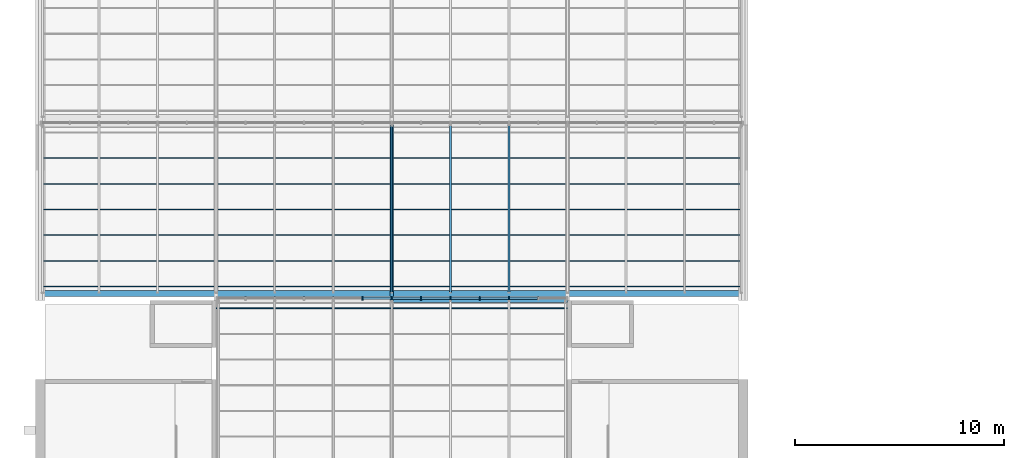
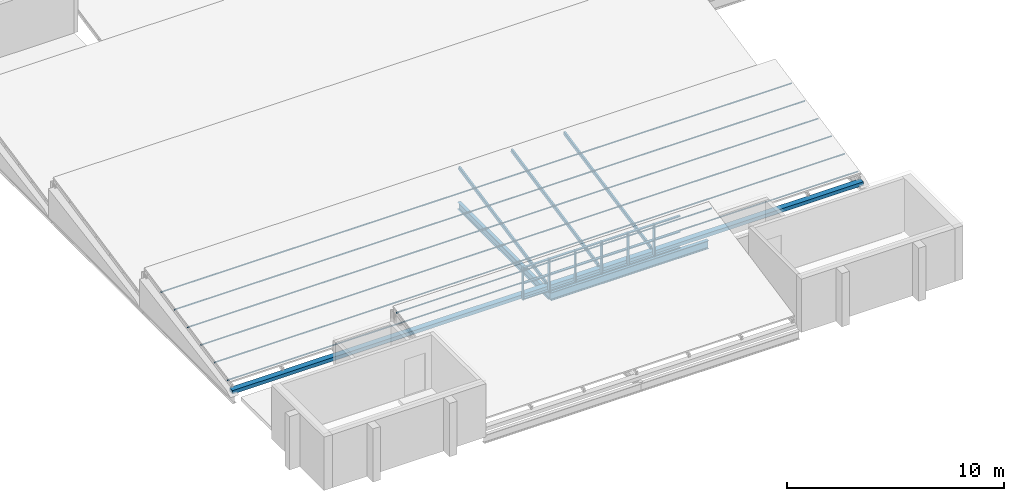
# One storey, part 11 of 121: 35 members, 2 beams, 1 element without a shape of its own.
"""IFC4 building model written with IfcOpenShell, lengths in metres."""

from ifc_helpers import new_model, si_unit, direction, frame, origin, origin_2d, place, context, subcontext, project, spatial, rectangle, hollow_rectangle, i_section, extrude, material, layer, layer_set, material_profile, profile_set, type_object, element, aggregate, save


model = new_model("IFC4")

# Units and contexts
model_context = context("Model", 3, precision=1e-05, world=origin(), true_north=direction((0.0, 1.0)))
body_context = subcontext(model_context, "Body", "Model", "MODEL_VIEW")
ifc_project = project(units=[si_unit("LENGTHUNIT", "METRE"), si_unit("AREAUNIT", "SQUARE_METRE"), si_unit("VOLUMEUNIT", "CUBIC_METRE"), si_unit("PLANEANGLEUNIT", "RADIAN"), si_unit("MASSUNIT", "GRAM", prefix="KILO")], contexts=[model_context])

# Site, building, storey
site_placement = place(None, origin())
site = spatial("IfcSite", under=ifc_project, at=site_placement, CompositionType="ELEMENT")
building_placement = place(site_placement, origin())
building = spatial("IfcBuilding", under=site, at=building_placement, Name="Ardhachandra Cancer Care Centre", CompositionType="ELEMENT")
storey_placement = place(building_placement, frame((0.0, 0.0, 9.0)))
storey = spatial("IfcBuildingStorey", under=building, at=storey_placement, Name="L02", CompositionType="ELEMENT", Elevation=9.0)

# Beams
ifc_material_1 = material(Name="Steel E350 (IS 2062)", Category="steel")
ifc_material_profile_1 = material_profile(ifc_material_1, i_section(OverallWidth=0.179931640625, OverallDepth=0.39990234375, WebThickness=0.008544921875, FlangeThickness=0.013427734375, FilletRadius=0.02099609375, at=origin_2d()), Name="NPB 400x180x66.30")
ifc_profile_set_1 = profile_set([ifc_material_profile_1], Name="Steel E350 (IS 2062)")
beam_type_1 = type_object("IfcBeamType", Name="Beam NPB 400x180x66.30", PredefinedType="BEAM", material=ifc_profile_set_1)
beam_1_placement = place(storey_placement, frame((27.60009765625, 37.800048828125, -0.199951171875), z_axis=(0.0, 1.0, 0.0), x_axis=(-1.0, 0.0, 0.0)))
element("IfcBeam", 1, at=beam_1_placement, inside=storey, type_object=beam_type_1, Name="Roof girder D3-E3", PredefinedType="BEAM", context=body_context, shape_type="SweptSolid", body=[
    extrude(i_section(OverallWidth=0.179931640625, OverallDepth=0.39990234375, WebThickness=0.008544921875, FlangeThickness=0.013427734375, FilletRadius=0.02099609375, at=origin_2d()), origin(), (0.0, 0.0, 1.0), 8.39990234375),
])
ifc_material_2 = material(Name="Steel E350 (IS 2062)", Category="steel")
ifc_material_profile_2 = material_profile(ifc_material_2, i_section(OverallWidth=0.19189453125, OverallDepth=0.4560546875, WebThickness=0.010986328125, FlangeThickness=0.017578125, FilletRadius=0.02099609375, at=origin_2d()), Name="NPB 450x190x92.36")
ifc_profile_set_2 = profile_set([ifc_material_profile_2], Name="Steel E350 (IS 2062)")
beam_type_2 = type_object("IfcBeamType", Name="Beam NPB 450x190x92.36", PredefinedType="BEAM", material=ifc_profile_set_2)
beam_2_placement = place(storey_placement, frame((27.60009765625, 37.800048828125, -0.22802734375), z_axis=(1.0, 0.0, 0.0), x_axis=(0.0, 1.0, 0.0)))
element("IfcBeam", 2, at=beam_2_placement, inside=storey, type_object=beam_type_2, Name="Roof girder D3-D4", PredefinedType="BEAM", context=body_context, shape_type="SweptSolid", body=[
    extrude(i_section(OverallWidth=0.19189453125, OverallDepth=0.4560546875, WebThickness=0.010986328125, FlangeThickness=0.017578125, FilletRadius=0.02099609375, at=origin_2d()), origin(), (0.0, 0.0, 1.0), 8.39990234375),
])

# Curtain wall, members
ifc_material_3 = material(Name="Aluminium extrusion", Category="aluminium")
ifc_layer = layer(ifc_material_3, 0.14990234375)
ifc_layer_set = layer_set([ifc_layer], Name="Aluminium extrusion")
curtain_wall_type = type_object("IfcCurtainWallType", Name="Curtain wall run", PredefinedType="NOTDEFINED", material=ifc_layer_set)
curtain_wall_placement = place(storey_placement, origin())
curtain_wall = element("IfcCurtainWall", 3, at=curtain_wall_placement, inside=storey, type_object=curtain_wall_type, Name="Curtain wall L02 n/0019200_0037900", PredefinedType="NOTDEFINED")
ifc_material_4 = material(Name="Aluminium extrusion", Category="aluminium")
ifc_material_profile_3 = material_profile(ifc_material_4, rectangle(XDim=0.159912109375, YDim=0.06005859375, at=origin_2d()), Name="Curtain wall mullion 60 x 160")
ifc_profile_set_3 = profile_set([ifc_material_profile_3], Name="Aluminium extrusion")
member_type_1 = type_object("IfcMemberType", Name="Curtain wall mullion 60 x 160", PredefinedType="MULLION", material=ifc_profile_set_3)
member_1_placement = place(storey_placement, frame((26.199951171875, 37.89990234375, 0.0), z_axis=(0.0, 0.0, 1.0), x_axis=(0.0, 1.0, 0.0)))
member_1 = element("IfcMember", 4, at=member_1_placement, type_object=member_type_1, Name="CW mullion 6", PredefinedType="MULLION", context=body_context, shape_type="SweptSolid", body=[
    extrude(rectangle(XDim=0.159912109375, YDim=0.06005859375, at=origin_2d()), origin(), (0.0, 0.0, 1.0), 1.820068359375),
])
member_2_placement = place(storey_placement, frame((27.60009765625, 37.89990234375, 0.0), z_axis=(0.0, 0.0, 1.0), x_axis=(0.0, 1.0, 0.0)))
member_2 = element("IfcMember", 5, at=member_2_placement, type_object=member_type_1, Name="CW mullion 7", PredefinedType="MULLION", context=body_context, shape_type="SweptSolid", body=[
    extrude(rectangle(XDim=0.159912109375, YDim=0.06005859375, at=origin_2d()), origin(), (0.0, 0.0, 1.0), 1.820068359375),
])
member_3_placement = place(storey_placement, frame((29.0, 37.89990234375, 0.0), z_axis=(0.0, 0.0, 1.0), x_axis=(0.0, 1.0, 0.0)))
member_3 = element("IfcMember", 6, at=member_3_placement, type_object=member_type_1, Name="CW mullion 8", PredefinedType="MULLION", context=body_context, shape_type="SweptSolid", body=[
    extrude(rectangle(XDim=0.159912109375, YDim=0.06005859375, at=origin_2d()), origin(), (0.0, 0.0, 1.0), 1.820068359375),
])
member_4_placement = place(storey_placement, frame((30.39990234375, 37.89990234375, 0.0), z_axis=(0.0, 0.0, 1.0), x_axis=(0.0, 1.0, 0.0)))
member_4 = element("IfcMember", 7, at=member_4_placement, type_object=member_type_1, Name="CW mullion 9", PredefinedType="MULLION", context=body_context, shape_type="SweptSolid", body=[
    extrude(rectangle(XDim=0.159912109375, YDim=0.06005859375, at=origin_2d()), origin(), (0.0, 0.0, 1.0), 1.820068359375),
])
member_5_placement = place(storey_placement, frame((31.800048828125, 37.89990234375, 0.0), z_axis=(0.0, 0.0, 1.0), x_axis=(0.0, 1.0, 0.0)))
member_5 = element("IfcMember", 8, at=member_5_placement, type_object=member_type_1, Name="CW mullion 10", PredefinedType="MULLION", context=body_context, shape_type="SweptSolid", body=[
    extrude(rectangle(XDim=0.159912109375, YDim=0.06005859375, at=origin_2d()), origin(), (0.0, 0.0, 1.0), 1.820068359375),
])
member_6_placement = place(storey_placement, frame((33.199951171875, 37.89990234375, 0.0), z_axis=(0.0, 0.0, 1.0), x_axis=(0.0, 1.0, 0.0)))
member_6 = element("IfcMember", 9, at=member_6_placement, type_object=member_type_1, Name="CW mullion 11", PredefinedType="MULLION", context=body_context, shape_type="SweptSolid", body=[
    extrude(rectangle(XDim=0.159912109375, YDim=0.06005859375, at=origin_2d()), origin(), (0.0, 0.0, 1.0), 1.820068359375),
])
ifc_material_5 = material(Name="Aluminium extrusion", Category="aluminium")
ifc_material_profile_4 = material_profile(ifc_material_5, rectangle(XDim=0.1201171875, YDim=0.06005859375, at=origin_2d()), Name="Curtain wall transom 60 x 120")
ifc_profile_set_4 = profile_set([ifc_material_profile_4], Name="Aluminium extrusion")
member_type_2 = type_object("IfcMemberType", Name="Curtain wall transom 60 x 120", PredefinedType="USERDEFINED", material=ifc_profile_set_4)
member_7_placement = place(storey_placement, frame((26.22998046875, 37.89990234375, 0.030029296875), z_axis=(1.0, 0.0, 0.0), x_axis=(0.0, 1.0, 0.0)))
member_7 = element("IfcMember", 10, at=member_7_placement, type_object=member_type_2, Name="CW transom 6.1", ObjectType="TRANSOM", PredefinedType="USERDEFINED", context=body_context, shape_type="SweptSolid", body=[
    extrude(rectangle(XDim=0.1201171875, YDim=0.06005859375, at=origin_2d()), origin(), (0.0, 0.0, 1.0), 1.340087890625),
])
member_8_placement = place(storey_placement, frame((26.22998046875, 37.89990234375, 0.909912109375), z_axis=(1.0, 0.0, 0.0), x_axis=(0.0, 1.0, 0.0)))
member_8 = element("IfcMember", 11, at=member_8_placement, type_object=member_type_2, Name="CW transom 6.2", ObjectType="TRANSOM", PredefinedType="USERDEFINED", context=body_context, shape_type="SweptSolid", body=[
    extrude(rectangle(XDim=0.1201171875, YDim=0.06005859375, at=origin_2d()), origin(), (0.0, 0.0, 1.0), 1.340087890625),
])
member_9_placement = place(storey_placement, frame((26.22998046875, 37.89990234375, 1.7900390625), z_axis=(1.0, 0.0, 0.0), x_axis=(0.0, 1.0, 0.0)))
member_9 = element("IfcMember", 12, at=member_9_placement, type_object=member_type_2, Name="CW transom 6.3", ObjectType="TRANSOM", PredefinedType="USERDEFINED", context=body_context, shape_type="SweptSolid", body=[
    extrude(rectangle(XDim=0.1201171875, YDim=0.06005859375, at=origin_2d()), origin(), (0.0, 0.0, 1.0), 1.340087890625),
])
member_10_placement = place(storey_placement, frame((27.6298828125, 37.89990234375, 0.030029296875), z_axis=(1.0, 0.0, 0.0), x_axis=(0.0, 1.0, 0.0)))
member_10 = element("IfcMember", 13, at=member_10_placement, type_object=member_type_2, Name="CW transom 7.1", ObjectType="TRANSOM", PredefinedType="USERDEFINED", context=body_context, shape_type="SweptSolid", body=[
    extrude(rectangle(XDim=0.1201171875, YDim=0.06005859375, at=origin_2d()), origin(), (0.0, 0.0, 1.0), 1.340087890625),
])
member_11_placement = place(storey_placement, frame((27.6298828125, 37.89990234375, 0.909912109375), z_axis=(1.0, 0.0, 0.0), x_axis=(0.0, 1.0, 0.0)))
member_11 = element("IfcMember", 14, at=member_11_placement, type_object=member_type_2, Name="CW transom 7.2", ObjectType="TRANSOM", PredefinedType="USERDEFINED", context=body_context, shape_type="SweptSolid", body=[
    extrude(rectangle(XDim=0.1201171875, YDim=0.06005859375, at=origin_2d()), origin(), (0.0, 0.0, 1.0), 1.340087890625),
])
member_12_placement = place(storey_placement, frame((27.6298828125, 37.89990234375, 1.7900390625), z_axis=(1.0, 0.0, 0.0), x_axis=(0.0, 1.0, 0.0)))
member_12 = element("IfcMember", 15, at=member_12_placement, type_object=member_type_2, Name="CW transom 7.3", ObjectType="TRANSOM", PredefinedType="USERDEFINED", context=body_context, shape_type="SweptSolid", body=[
    extrude(rectangle(XDim=0.1201171875, YDim=0.06005859375, at=origin_2d()), origin(), (0.0, 0.0, 1.0), 1.340087890625),
])
member_13_placement = place(storey_placement, frame((29.030029296875, 37.89990234375, 0.030029296875), z_axis=(1.0, 0.0, 0.0), x_axis=(0.0, 1.0, 0.0)))
member_13 = element("IfcMember", 16, at=member_13_placement, type_object=member_type_2, Name="CW transom 8.1", ObjectType="TRANSOM", PredefinedType="USERDEFINED", context=body_context, shape_type="SweptSolid", body=[
    extrude(rectangle(XDim=0.1201171875, YDim=0.06005859375, at=origin_2d()), origin(), (0.0, 0.0, 1.0), 1.340087890625),
])
member_14_placement = place(storey_placement, frame((29.030029296875, 37.89990234375, 0.909912109375), z_axis=(1.0, 0.0, 0.0), x_axis=(0.0, 1.0, 0.0)))
member_14 = element("IfcMember", 17, at=member_14_placement, type_object=member_type_2, Name="CW transom 8.2", ObjectType="TRANSOM", PredefinedType="USERDEFINED", context=body_context, shape_type="SweptSolid", body=[
    extrude(rectangle(XDim=0.1201171875, YDim=0.06005859375, at=origin_2d()), origin(), (0.0, 0.0, 1.0), 1.340087890625),
])
member_15_placement = place(storey_placement, frame((29.030029296875, 37.89990234375, 1.7900390625), z_axis=(1.0, 0.0, 0.0), x_axis=(0.0, 1.0, 0.0)))
member_15 = element("IfcMember", 18, at=member_15_placement, type_object=member_type_2, Name="CW transom 8.3", ObjectType="TRANSOM", PredefinedType="USERDEFINED", context=body_context, shape_type="SweptSolid", body=[
    extrude(rectangle(XDim=0.1201171875, YDim=0.06005859375, at=origin_2d()), origin(), (0.0, 0.0, 1.0), 1.340087890625),
])
member_16_placement = place(storey_placement, frame((30.429931640625, 37.89990234375, 0.030029296875), z_axis=(1.0, 0.0, 0.0), x_axis=(0.0, 1.0, 0.0)))
member_16 = element("IfcMember", 19, at=member_16_placement, type_object=member_type_2, Name="CW transom 9.1", ObjectType="TRANSOM", PredefinedType="USERDEFINED", context=body_context, shape_type="SweptSolid", body=[
    extrude(rectangle(XDim=0.1201171875, YDim=0.06005859375, at=origin_2d()), origin(), (0.0, 0.0, 1.0), 1.340087890625),
])
member_17_placement = place(storey_placement, frame((30.429931640625, 37.89990234375, 0.909912109375), z_axis=(1.0, 0.0, 0.0), x_axis=(0.0, 1.0, 0.0)))
member_17 = element("IfcMember", 20, at=member_17_placement, type_object=member_type_2, Name="CW transom 9.2", ObjectType="TRANSOM", PredefinedType="USERDEFINED", context=body_context, shape_type="SweptSolid", body=[
    extrude(rectangle(XDim=0.1201171875, YDim=0.06005859375, at=origin_2d()), origin(), (0.0, 0.0, 1.0), 1.340087890625),
])
member_18_placement = place(storey_placement, frame((30.429931640625, 37.89990234375, 1.7900390625), z_axis=(1.0, 0.0, 0.0), x_axis=(0.0, 1.0, 0.0)))
member_18 = element("IfcMember", 21, at=member_18_placement, type_object=member_type_2, Name="CW transom 9.3", ObjectType="TRANSOM", PredefinedType="USERDEFINED", context=body_context, shape_type="SweptSolid", body=[
    extrude(rectangle(XDim=0.1201171875, YDim=0.06005859375, at=origin_2d()), origin(), (0.0, 0.0, 1.0), 1.340087890625),
])
member_19_placement = place(storey_placement, frame((31.830078125, 37.89990234375, 0.030029296875), z_axis=(1.0, 0.0, 0.0), x_axis=(0.0, 1.0, 0.0)))
member_19 = element("IfcMember", 22, at=member_19_placement, type_object=member_type_2, Name="CW transom 10.1", ObjectType="TRANSOM", PredefinedType="USERDEFINED", context=body_context, shape_type="SweptSolid", body=[
    extrude(rectangle(XDim=0.1201171875, YDim=0.06005859375, at=origin_2d()), origin(), (0.0, 0.0, 1.0), 1.33984375),
])
member_20_placement = place(storey_placement, frame((31.830078125, 37.89990234375, 0.909912109375), z_axis=(1.0, 0.0, 0.0), x_axis=(0.0, 1.0, 0.0)))
member_20 = element("IfcMember", 23, at=member_20_placement, type_object=member_type_2, Name="CW transom 10.2", ObjectType="TRANSOM", PredefinedType="USERDEFINED", context=body_context, shape_type="SweptSolid", body=[
    extrude(rectangle(XDim=0.1201171875, YDim=0.06005859375, at=origin_2d()), origin(), (0.0, 0.0, 1.0), 1.33984375),
])
member_21_placement = place(storey_placement, frame((31.830078125, 37.89990234375, 1.7900390625), z_axis=(1.0, 0.0, 0.0), x_axis=(0.0, 1.0, 0.0)))
member_21 = element("IfcMember", 24, at=member_21_placement, type_object=member_type_2, Name="CW transom 10.3", ObjectType="TRANSOM", PredefinedType="USERDEFINED", context=body_context, shape_type="SweptSolid", body=[
    extrude(rectangle(XDim=0.1201171875, YDim=0.06005859375, at=origin_2d()), origin(), (0.0, 0.0, 1.0), 1.33984375),
])
member_22_placement = place(storey_placement, frame((33.22998046875, 37.89990234375, 0.030029296875), z_axis=(1.0, 0.0, 0.0), x_axis=(0.0, 1.0, 0.0)))
member_22 = element("IfcMember", 25, at=member_22_placement, type_object=member_type_2, Name="CW transom 11.1", ObjectType="TRANSOM", PredefinedType="USERDEFINED", context=body_context, shape_type="SweptSolid", body=[
    extrude(rectangle(XDim=0.1201171875, YDim=0.06005859375, at=origin_2d()), origin(), (0.0, 0.0, 1.0), 1.340087890625),
])
member_23_placement = place(storey_placement, frame((33.22998046875, 37.89990234375, 0.909912109375), z_axis=(1.0, 0.0, 0.0), x_axis=(0.0, 1.0, 0.0)))
member_23 = element("IfcMember", 26, at=member_23_placement, type_object=member_type_2, Name="CW transom 11.2", ObjectType="TRANSOM", PredefinedType="USERDEFINED", context=body_context, shape_type="SweptSolid", body=[
    extrude(rectangle(XDim=0.1201171875, YDim=0.06005859375, at=origin_2d()), origin(), (0.0, 0.0, 1.0), 1.340087890625),
])
member_24_placement = place(storey_placement, frame((33.22998046875, 37.89990234375, 1.7900390625), z_axis=(1.0, 0.0, 0.0), x_axis=(0.0, 1.0, 0.0)))
member_24 = element("IfcMember", 27, at=member_24_placement, type_object=member_type_2, Name="CW transom 11.3", ObjectType="TRANSOM", PredefinedType="USERDEFINED", context=body_context, shape_type="SweptSolid", body=[
    extrude(rectangle(XDim=0.1201171875, YDim=0.06005859375, at=origin_2d()), origin(), (0.0, 0.0, 1.0), 1.340087890625),
])
aggregate(curtain_wall, [member_1, member_2, member_3, member_4, member_5, member_6, member_7, member_8, member_9, member_10, member_11, member_12, member_13, member_14, member_15, member_16, member_17, member_18, member_19, member_20, member_21, member_22, member_23, member_24])

# Members
ifc_material_6 = material(Name="Steel E350 (IS 2062)", Category="steel")
ifc_material_profile_5 = material_profile(ifc_material_6, hollow_rectangle(XDim=0.0400390625, YDim=0.080078125, WallThickness=0.00390625, InnerFilletRadius=0.00390625, OuterFilletRadius=0.008056640625, at=origin_2d()), Name="RHS 80x40x4.0")
ifc_profile_set_5 = profile_set([ifc_material_profile_5], Name="Steel E350 (IS 2062)")
member_type_3 = type_object("IfcMemberType", Name="Roof purlin RHS 80x40x4.0", PredefinedType="PURLIN", material=ifc_profile_set_5)
member_25_placement = place(storey_placement, frame((19.199951171875, 37.432373046875, 1.990478515625), z_axis=(1.0, 0.0, 0.0), x_axis=(0.0, 0.980106641092, 0.198471590126)))
element("IfcMember", 28, at=member_25_placement, inside=storey, type_object=member_type_3, Name="Purlin T1a.7", PredefinedType="PURLIN", context=body_context, shape_type="SweptSolid", body=[
    extrude(hollow_rectangle(XDim=0.0400390625, YDim=0.080078125, WallThickness=0.00390625, InnerFilletRadius=0.00390625, OuterFilletRadius=0.008056640625, at=origin_2d()), origin(), (0.0, 0.0, 1.0), 16.800048828125),
])
for number, where, z_axis, x_axis, name in (
    (29, (10.800048828125, 38.472412109375, 0.5), (1.0, 0.0, 0.0), (0.0, 0.980106641092, 0.198471590126), "Purlin T2a.1"),
    (30, (10.800048828125, 39.698974609375, 0.74853515625), (1.0, 0.0, 0.0), (0.0, 0.980106641092, 0.198471590126), "Purlin T2a.2"),
    (31, (10.800048828125, 40.92578125, 0.996826171875), (1.0, 0.0, 0.0), (0.0, 0.980106641092, 0.198471590126), "Purlin T2a.3"),
    (32, (10.800048828125, 42.15234375, 1.2451171875), (1.0, 0.0, 0.0), (0.0, 0.980106641092, 0.198471590126), "Purlin T2a.4"),
    (33, (10.800048828125, 43.379150390625, 1.49365234375), (1.0, 0.0, 0.0), (0.0, 0.980106641092, 0.198471590126), "Purlin T2a.5"),
    (34, (10.800048828125, 44.605712890625, 1.741943359375), (1.0, 0.0, 0.0), (0.0, 0.980106641092, 0.198471590126), "Purlin T2a.6"),
):
    element("IfcMember", number, at=place(storey_placement, frame(where, z_axis=z_axis, x_axis=x_axis)), inside=storey, type_object=member_type_3, Name=name, PredefinedType="PURLIN", context=body_context, shape_type="SweptSolid", body=[
        extrude(hollow_rectangle(XDim=0.0400390625, YDim=0.080078125, WallThickness=0.00390625, InnerFilletRadius=0.00390625, OuterFilletRadius=0.008056640625, at=origin_2d()), origin(), (0.0, 0.0, 1.0), 33.599853515625),
    ])
ifc_material_7 = material(Name="Steel E350 (IS 2062)", Category="steel")
ifc_material_profile_6 = material_profile(ifc_material_7, hollow_rectangle(XDim=0.10009765625, YDim=0.199951171875, WallThickness=0.006103515625, InnerFilletRadius=0.006103515625, OuterFilletRadius=0.011962890625, at=origin_2d()), Name="RHS 200x100x6.0")
ifc_profile_set_6 = profile_set([ifc_material_profile_6], Name="Steel E350 (IS 2062)")
member_type_4 = type_object("IfcMemberType", Name="Roof rafter RHS 200x100x6.0", PredefinedType="RAFTER", material=ifc_profile_set_6)
for number, where, z_axis, x_axis, name in (
    (35, (27.60009765625, 38.18017578125, 0.298095703125), (0.0, 0.980109665583, 0.198456653782), (-1.0, 0.0, 0.0), "Rafter T2a.7"),
    (36, (30.39990234375, 38.18017578125, 0.298095703125), (0.0, 0.980109665583, 0.198456653782), (-1.0, 0.0, 0.0), "Rafter T2a.8"),
    (37, (33.199951171875, 38.18017578125, 0.298095703125), (0.0, 0.980109665583, 0.198456653782), (-1.0, 0.0, 0.0), "Rafter T2a.9"),
):
    element("IfcMember", number, at=place(storey_placement, frame(where, z_axis=z_axis, x_axis=x_axis)), inside=storey, type_object=member_type_4, Name=name, PredefinedType="RAFTER", context=body_context, shape_type="SweptSolid", body=[
        extrude(hollow_rectangle(XDim=0.10009765625, YDim=0.199951171875, WallThickness=0.006103515625, InnerFilletRadius=0.006103515625, OuterFilletRadius=0.011962890625, at=origin_2d()), origin(), (0.0, 0.0, 1.0), 8.162353515625),
    ])
ifc_material_8 = material(Name="Stainless steel sheet gutter on galvanised steel cradle", Category="steel")
ifc_material_profile_7 = material_profile(ifc_material_8, rectangle(XDim=0.300048828125, YDim=0.199951171875, at=origin_2d()), Name="Valley gutter 300 x 200")
ifc_profile_set_7 = profile_set([ifc_material_profile_7], Name="Stainless steel sheet gutter on galvanised steel cradle")
member_type_5 = type_object("IfcMemberType", Name="Valley gutter 300 x 200", PredefinedType="USERDEFINED", material=ifc_profile_set_7)
member_26_placement = place(storey_placement, frame((10.800048828125, 38.139892578125, 0.10009765625), z_axis=(1.0, 0.0, 0.0), x_axis=(0.0, 1.0, 0.0)))
element("IfcMember", 38, at=member_26_placement, inside=storey, type_object=member_type_5, Name="Valley gutter T2a", ObjectType="GUTTER", PredefinedType="USERDEFINED", context=body_context, shape_type="SweptSolid", body=[
    extrude(rectangle(XDim=0.300048828125, YDim=0.199951171875, at=origin_2d()), origin(), (0.0, 0.0, 1.0), 33.599853515625),
])

save(model, "model.ifc")
